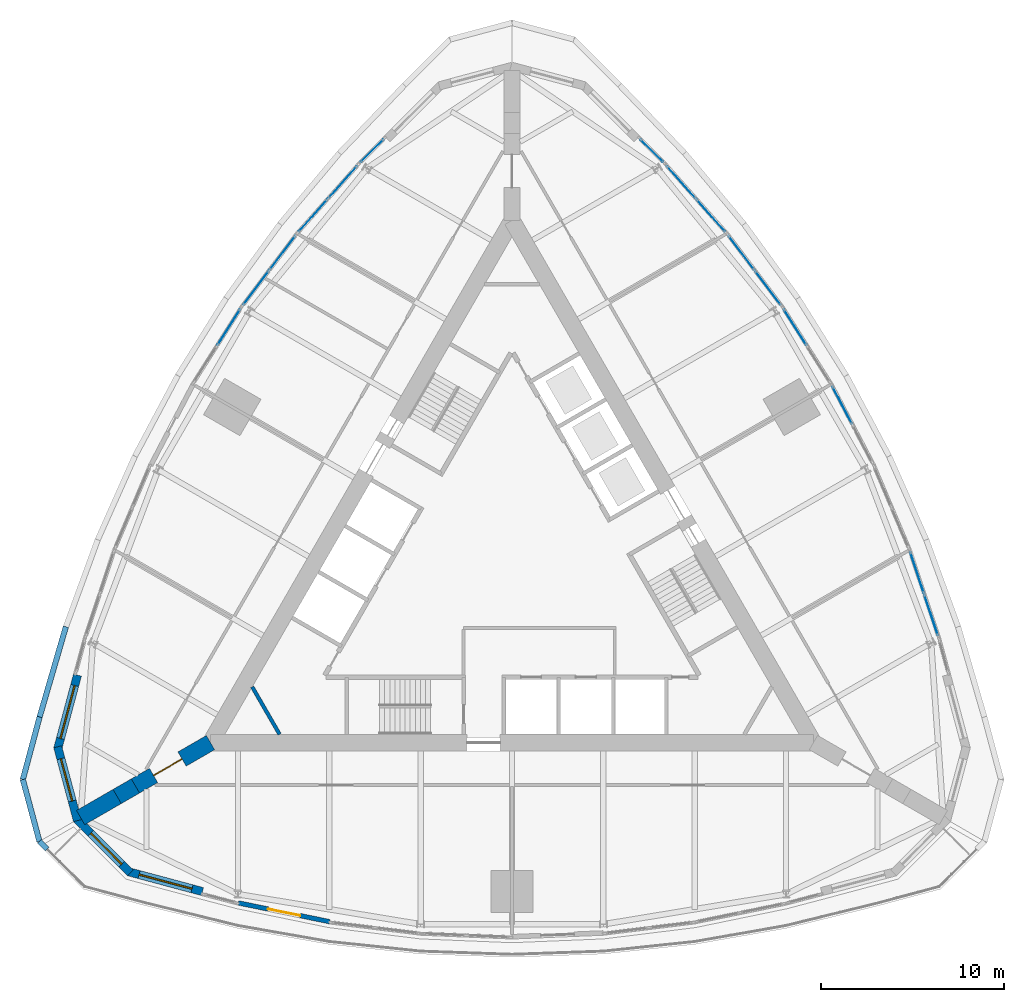
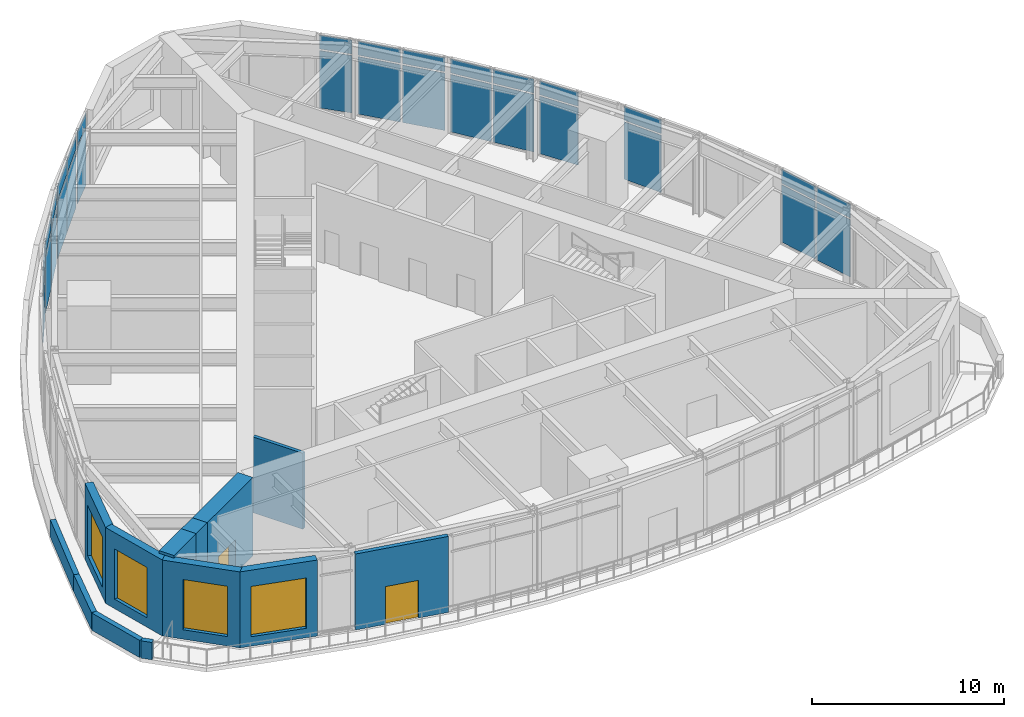
# One storey, part 7 of 13: 30 plates, 13 walls, 4 windows, 2 doors, 6 openings, 10 elements without a shape of their own.
"""IFC4 building model written with IfcOpenShell, lengths in metres."""

from ifc_helpers import new_model, si_unit, direction, frame, frame_2d, origin, origin_2d, place, context, subcontext, project, spatial, polyline, rectangle, outline, extrude, material, layer, layer_set, type_object, element, fill, aggregate, save


model = new_model("IFC4")

# Units and contexts
model_context = context("Model", 3, precision=1e-05, world=origin(), true_north=direction((0.0, 1.0)))
body_context = subcontext(model_context, "Body", "Model", "MODEL_VIEW")
ifc_project = project(units=[si_unit("LENGTHUNIT", "METRE"), si_unit("AREAUNIT", "SQUARE_METRE"), si_unit("VOLUMEUNIT", "CUBIC_METRE"), si_unit("PLANEANGLEUNIT", "RADIAN"), si_unit("MASSUNIT", "GRAM", prefix="KILO")], contexts=[model_context])

# Site, building, storey
site_placement = place(None, origin())
site = spatial("IfcSite", under=ifc_project, at=site_placement, CompositionType="ELEMENT")
building_placement = place(site_placement, origin())
building = spatial("IfcBuilding", under=site, at=building_placement, Name="Trikona Tower", CompositionType="ELEMENT")
storey_placement = place(building_placement, frame((0.0, 0.0, 195.89990234375)))
storey = spatial("IfcBuildingStorey", under=building, at=storey_placement, Name="L52", CompositionType="ELEMENT", Elevation=195.89990234375)

# Curtain wall, plates
ifc_material_1 = material(Name="Aluminium curtain wall system", Category="aluminium")
curtain_wall_type = type_object("IfcCurtainWallType", Name="Curtain wall SL", PredefinedType="NOTDEFINED", material=ifc_material_1)
curtain_wall_1_placement = place(storey_placement, origin())
curtain_wall_1 = element("IfcCurtainWall", 1, at=curtain_wall_1_placement, inside=storey, type_object=curtain_wall_type, Name="Curtain wall SL L52", PredefinedType="NOTDEFINED")
ifc_material_2 = material(Name="Clear insulating glass unit", Category="glass")
ifc_layer_1 = layer(ifc_material_2, 0.028076171875)
ifc_layer_set_1 = layer_set([ifc_layer_1], Name="Glass panel SL")
plate_type = type_object("IfcPlateType", Name="Glass panel SL", PredefinedType="CURTAIN_PANEL", material=ifc_layer_set_1)
plate_1_placement = place(storey_placement, frame((22.942138671875, -2.546142578125, 0.10009765625), z_axis=(0.0, 0.0, 1.0), x_axis=(-0.31509610797, 0.94905976774, 0.0)))
plate_1 = element("IfcPlate", 2, at=plate_1_placement, type_object=plate_type, Name="CW-SL panel 1.1", PredefinedType="CURTAIN_PANEL", context=body_context, shape_type="SweptSolid", body=[
    extrude(rectangle(XDim=2.342529296875, YDim=0.028076171875, at=origin_2d()), origin(), (0.0, 0.0, 1.0), 3.64990234375),
])
plate_2_placement = place(storey_placement, frame((22.942138671875, -2.546142578125, 3.85009765625), z_axis=(0.0, 0.0, 1.0), x_axis=(-0.31509610797, 0.94905976774, 0.0)))
plate_2 = element("IfcPlate", 3, at=plate_2_placement, type_object=plate_type, Name="CW-SL panel 1.2", PredefinedType="CURTAIN_PANEL", context=body_context, shape_type="SweptSolid", body=[
    extrude(rectangle(XDim=2.342529296875, YDim=0.028076171875, at=origin_2d()), origin(), (0.0, 0.0, 1.0), 0.885009765625),
])
plate_3_placement = place(storey_placement, frame((22.17236328125, -0.22802734375, 0.10009765625), z_axis=(0.0, 0.0, 1.0), x_axis=(-0.31509610797, 0.94905976774, 0.0)))
plate_3 = element("IfcPlate", 4, at=plate_3_placement, type_object=plate_type, Name="CW-SL panel 2.1", PredefinedType="CURTAIN_PANEL", context=body_context, shape_type="SweptSolid", body=[
    extrude(rectangle(XDim=2.342529296875, YDim=0.028076171875, at=origin_2d()), origin(), (0.0, 0.0, 1.0), 3.64990234375),
])
plate_4_placement = place(storey_placement, frame((22.17236328125, -0.22802734375, 3.85009765625), z_axis=(0.0, 0.0, 1.0), x_axis=(-0.31509610797, 0.94905976774, 0.0)))
plate_4 = element("IfcPlate", 5, at=plate_4_placement, type_object=plate_type, Name="CW-SL panel 2.2", PredefinedType="CURTAIN_PANEL", context=body_context, shape_type="SweptSolid", body=[
    extrude(rectangle(XDim=2.342529296875, YDim=0.028076171875, at=origin_2d()), origin(), (0.0, 0.0, 1.0), 0.885009765625),
])
aggregate(curtain_wall_1, [plate_1, plate_2, plate_3, plate_4])

curtain_wall_2_placement = place(storey_placement, origin())
curtain_wall_2 = element("IfcCurtainWall", 6, at=curtain_wall_2_placement, inside=storey, type_object=curtain_wall_type, Name="Curtain wall SL L52", PredefinedType="NOTDEFINED")
plate_5_placement = place(storey_placement, frame((18.07861328125, 8.935546875, 0.10009765625), z_axis=(0.0, 0.0, 1.0), x_axis=(-0.463948084434, 0.885862390527, 0.0)))
plate_5 = element("IfcPlate", 7, at=plate_5_placement, type_object=plate_type, Name="CW-SL panel 2.1", PredefinedType="CURTAIN_PANEL", context=body_context, shape_type="SweptSolid", body=[
    extrude(rectangle(XDim=2.2919921875, YDim=0.028076171875, at=origin_2d()), origin(), (0.0, 0.0, 1.0), 3.64990234375),
])
plate_6_placement = place(storey_placement, frame((18.07861328125, 8.935546875, 3.85009765625), z_axis=(0.0, 0.0, 1.0), x_axis=(-0.463948084434, 0.885862390527, 0.0)))
plate_6 = element("IfcPlate", 8, at=plate_6_placement, type_object=plate_type, Name="CW-SL panel 2.2", PredefinedType="CURTAIN_PANEL", context=body_context, shape_type="SweptSolid", body=[
    extrude(rectangle(XDim=2.2919921875, YDim=0.028076171875, at=origin_2d()), origin(), (0.0, 0.0, 1.0), 0.885009765625),
])
aggregate(curtain_wall_2, [plate_5, plate_6])

curtain_wall_3_placement = place(storey_placement, origin())
curtain_wall_3 = element("IfcCurtainWall", 9, at=curtain_wall_3_placement, inside=storey, type_object=curtain_wall_type, Name="Curtain wall SL L52", PredefinedType="NOTDEFINED")
plate_7_placement = place(storey_placement, frame((15.497314453125, 13.209228515625, 0.10009765625), z_axis=(0.0, 0.0, 1.0), x_axis=(-0.535211837308, 0.84471787551, 0.0)))
plate_7 = element("IfcPlate", 10, at=plate_7_placement, type_object=plate_type, Name="CW-SL panel 2.1", PredefinedType="CURTAIN_PANEL", context=body_context, shape_type="SweptSolid", body=[
    extrude(rectangle(XDim=2.292236328125, YDim=0.028076171875, at=origin_2d()), origin(), (0.0, 0.0, 1.0), 3.64990234375),
])
plate_8_placement = place(storey_placement, frame((15.497314453125, 13.209228515625, 3.85009765625), z_axis=(0.0, 0.0, 1.0), x_axis=(-0.535211837308, 0.84471787551, 0.0)))
plate_8 = element("IfcPlate", 11, at=plate_8_placement, type_object=plate_type, Name="CW-SL panel 2.2", PredefinedType="CURTAIN_PANEL", context=body_context, shape_type="SweptSolid", body=[
    extrude(rectangle(XDim=2.292236328125, YDim=0.028076171875, at=origin_2d()), origin(), (0.0, 0.0, 1.0), 0.885009765625),
])
aggregate(curtain_wall_3, [plate_7, plate_8])

curtain_wall_4_placement = place(storey_placement, origin())
curtain_wall_4 = element("IfcCurtainWall", 12, at=curtain_wall_4_placement, inside=storey, type_object=curtain_wall_type, Name="Curtain wall SL L52", PredefinedType="NOTDEFINED")
plate_9_placement = place(storey_placement, frame((14.010986328125, 15.355224609375, 0.10009765625), z_axis=(0.0, 0.0, 1.0), x_axis=(-0.602401528506, 0.798193208724, 0.0)))
plate_9 = element("IfcPlate", 13, at=plate_9_placement, type_object=plate_type, Name="CW-SL panel 1.1", PredefinedType="CURTAIN_PANEL", context=body_context, shape_type="SweptSolid", body=[
    extrude(rectangle(XDim=2.30908203125, YDim=0.028076171875, at=origin_2d()), origin(), (0.0, 0.0, 1.0), 3.64990234375),
])
plate_10_placement = place(storey_placement, frame((14.010986328125, 15.355224609375, 3.85009765625), z_axis=(0.0, 0.0, 1.0), x_axis=(-0.602401528506, 0.798193208724, 0.0)))
plate_10 = element("IfcPlate", 14, at=plate_10_placement, type_object=plate_type, Name="CW-SL panel 1.2", PredefinedType="CURTAIN_PANEL", context=body_context, shape_type="SweptSolid", body=[
    extrude(rectangle(XDim=2.30908203125, YDim=0.028076171875, at=origin_2d()), origin(), (0.0, 0.0, 1.0), 0.885009765625),
])
plate_11_placement = place(storey_placement, frame((12.559814453125, 17.278076171875, 0.10009765625), z_axis=(0.0, 0.0, 1.0), x_axis=(-0.602401528506, 0.798193208724, 0.0)))
plate_11 = element("IfcPlate", 15, at=plate_11_placement, type_object=plate_type, Name="CW-SL panel 2.1", PredefinedType="CURTAIN_PANEL", context=body_context, shape_type="SweptSolid", body=[
    extrude(rectangle(XDim=2.30908203125, YDim=0.028076171875, at=origin_2d()), origin(), (0.0, 0.0, 1.0), 3.64990234375),
])
plate_12_placement = place(storey_placement, frame((12.559814453125, 17.278076171875, 3.85009765625), z_axis=(0.0, 0.0, 1.0), x_axis=(-0.602401528506, 0.798193208724, 0.0)))
plate_12 = element("IfcPlate", 16, at=plate_12_placement, type_object=plate_type, Name="CW-SL panel 2.2", PredefinedType="CURTAIN_PANEL", context=body_context, shape_type="SweptSolid", body=[
    extrude(rectangle(XDim=2.30908203125, YDim=0.028076171875, at=origin_2d()), origin(), (0.0, 0.0, 1.0), 0.885009765625),
])
aggregate(curtain_wall_4, [plate_9, plate_10, plate_11, plate_12])

curtain_wall_5_placement = place(storey_placement, origin())
curtain_wall_5 = element("IfcCurtainWall", 17, at=curtain_wall_5_placement, inside=storey, type_object=curtain_wall_type, Name="Curtain wall SL L52", PredefinedType="NOTDEFINED")
plate_13_placement = place(storey_placement, frame((10.888671875, 19.31591796875, 0.10009765625), z_axis=(0.0, 0.0, 1.0), x_axis=(-0.664371309689, 0.747402677853, 0.0)))
plate_13 = element("IfcPlate", 18, at=plate_13_placement, type_object=plate_type, Name="CW-SL panel 1.1", PredefinedType="CURTAIN_PANEL", context=body_context, shape_type="SweptSolid", body=[
    extrude(rectangle(XDim=2.342529296875, YDim=0.028076171875, at=origin_2d()), origin(), (0.0, 0.0, 1.0), 3.64990234375),
])
plate_14_placement = place(storey_placement, frame((10.888671875, 19.31591796875, 3.85009765625), z_axis=(0.0, 0.0, 1.0), x_axis=(-0.664371309689, 0.747402677853, 0.0)))
plate_14 = element("IfcPlate", 19, at=plate_14_placement, type_object=plate_type, Name="CW-SL panel 1.2", PredefinedType="CURTAIN_PANEL", context=body_context, shape_type="SweptSolid", body=[
    extrude(rectangle(XDim=2.342529296875, YDim=0.028076171875, at=origin_2d()), origin(), (0.0, 0.0, 1.0), 0.885009765625),
])
plate_15_placement = place(storey_placement, frame((9.26611328125, 21.141357421875, 0.10009765625), z_axis=(0.0, 0.0, 1.0), x_axis=(-0.664371309689, 0.747402677853, 0.0)))
plate_15 = element("IfcPlate", 20, at=plate_15_placement, type_object=plate_type, Name="CW-SL panel 2.1", PredefinedType="CURTAIN_PANEL", context=body_context, shape_type="SweptSolid", body=[
    extrude(rectangle(XDim=2.342529296875, YDim=0.028076171875, at=origin_2d()), origin(), (0.0, 0.0, 1.0), 3.64990234375),
])
plate_16_placement = place(storey_placement, frame((9.26611328125, 21.141357421875, 3.85009765625), z_axis=(0.0, 0.0, 1.0), x_axis=(-0.664371309689, 0.747402677853, 0.0)))
plate_16 = element("IfcPlate", 21, at=plate_16_placement, type_object=plate_type, Name="CW-SL panel 2.2", PredefinedType="CURTAIN_PANEL", context=body_context, shape_type="SweptSolid", body=[
    extrude(rectangle(XDim=2.342529296875, YDim=0.028076171875, at=origin_2d()), origin(), (0.0, 0.0, 1.0), 0.885009765625),
])
aggregate(curtain_wall_5, [plate_13, plate_14, plate_15, plate_16])

curtain_wall_6_placement = place(storey_placement, origin())
curtain_wall_6 = element("IfcCurtainWall", 22, at=curtain_wall_6_placement, inside=storey, type_object=curtain_wall_type, Name="Curtain wall SL L52", PredefinedType="NOTDEFINED")
plate_17_placement = place(storey_placement, frame((7.6572265625, 22.86669921875, 0.10009765625), z_axis=(0.0, 0.0, 1.0), x_axis=(-0.704149343903, 0.710051900554, 0.0)))
plate_17 = element("IfcPlate", 23, at=plate_17_placement, type_object=plate_type, Name="CW-SL panel 1.1", PredefinedType="CURTAIN_PANEL", context=body_context, shape_type="SweptSolid", body=[
    extrude(rectangle(XDim=1.748291015625, YDim=0.028076171875, at=origin_2d()), origin(), (0.0, 0.0, 1.0), 3.64990234375),
])
plate_18_placement = place(storey_placement, frame((7.6572265625, 22.86669921875, 3.85009765625), z_axis=(0.0, 0.0, 1.0), x_axis=(-0.704149343903, 0.710051900554, 0.0)))
plate_18 = element("IfcPlate", 24, at=plate_18_placement, type_object=plate_type, Name="CW-SL panel 1.2", PredefinedType="CURTAIN_PANEL", context=body_context, shape_type="SweptSolid", body=[
    extrude(rectangle(XDim=1.748291015625, YDim=0.028076171875, at=origin_2d()), origin(), (0.0, 0.0, 1.0), 0.885009765625),
])
aggregate(curtain_wall_6, [plate_17, plate_18])

curtain_wall_7_placement = place(storey_placement, origin())
curtain_wall_7 = element("IfcCurtainWall", 25, at=curtain_wall_7_placement, inside=storey, type_object=curtain_wall_type, Name="Curtain wall SL L52", PredefinedType="NOTDEFINED")
plate_19_placement = place(storey_placement, frame((-7.6572265625, 22.86669921875, 0.10009765625), z_axis=(0.0, 0.0, 1.0), x_axis=(-0.704149343903, -0.710051900554, 0.0)))
plate_19 = element("IfcPlate", 26, at=plate_19_placement, type_object=plate_type, Name="CW-SL panel 1.1", PredefinedType="CURTAIN_PANEL", context=body_context, shape_type="SweptSolid", body=[
    extrude(rectangle(XDim=1.748291015625, YDim=0.028076171875, at=origin_2d()), origin(), (0.0, 0.0, 1.0), 3.64990234375),
])
plate_20_placement = place(storey_placement, frame((-7.6572265625, 22.86669921875, 3.85009765625), z_axis=(0.0, 0.0, 1.0), x_axis=(-0.704149343903, -0.710051900554, 0.0)))
plate_20 = element("IfcPlate", 27, at=plate_20_placement, type_object=plate_type, Name="CW-SL panel 1.2", PredefinedType="CURTAIN_PANEL", context=body_context, shape_type="SweptSolid", body=[
    extrude(rectangle(XDim=1.748291015625, YDim=0.028076171875, at=origin_2d()), origin(), (0.0, 0.0, 1.0), 0.885009765625),
])
aggregate(curtain_wall_7, [plate_19, plate_20])

curtain_wall_8_placement = place(storey_placement, origin())
curtain_wall_8 = element("IfcCurtainWall", 28, at=curtain_wall_8_placement, inside=storey, type_object=curtain_wall_type, Name="Curtain wall SL L52", PredefinedType="NOTDEFINED")
plate_21_placement = place(storey_placement, frame((-9.26611328125, 21.141357421875, 0.10009765625), z_axis=(0.0, 0.0, 1.0), x_axis=(-0.664371309689, -0.747402677853, 0.0)))
plate_21 = element("IfcPlate", 29, at=plate_21_placement, type_object=plate_type, Name="CW-SL panel 1.1", PredefinedType="CURTAIN_PANEL", context=body_context, shape_type="SweptSolid", body=[
    extrude(rectangle(XDim=2.342529296875, YDim=0.028076171875, at=origin_2d()), origin(), (0.0, 0.0, 1.0), 3.64990234375),
])
plate_22_placement = place(storey_placement, frame((-9.26611328125, 21.141357421875, 3.85009765625), z_axis=(0.0, 0.0, 1.0), x_axis=(-0.664371309689, -0.747402677853, 0.0)))
plate_22 = element("IfcPlate", 30, at=plate_22_placement, type_object=plate_type, Name="CW-SL panel 1.2", PredefinedType="CURTAIN_PANEL", context=body_context, shape_type="SweptSolid", body=[
    extrude(rectangle(XDim=2.342529296875, YDim=0.028076171875, at=origin_2d()), origin(), (0.0, 0.0, 1.0), 0.885009765625),
])
plate_23_placement = place(storey_placement, frame((-10.888671875, 19.31591796875, 0.10009765625), z_axis=(0.0, 0.0, 1.0), x_axis=(-0.664371309689, -0.747402677853, 0.0)))
plate_23 = element("IfcPlate", 31, at=plate_23_placement, type_object=plate_type, Name="CW-SL panel 2.1", PredefinedType="CURTAIN_PANEL", context=body_context, shape_type="SweptSolid", body=[
    extrude(rectangle(XDim=2.342529296875, YDim=0.028076171875, at=origin_2d()), origin(), (0.0, 0.0, 1.0), 3.64990234375),
])
plate_24_placement = place(storey_placement, frame((-10.888671875, 19.31591796875, 3.85009765625), z_axis=(0.0, 0.0, 1.0), x_axis=(-0.664371309689, -0.747402677853, 0.0)))
plate_24 = element("IfcPlate", 32, at=plate_24_placement, type_object=plate_type, Name="CW-SL panel 2.2", PredefinedType="CURTAIN_PANEL", context=body_context, shape_type="SweptSolid", body=[
    extrude(rectangle(XDim=2.342529296875, YDim=0.028076171875, at=origin_2d()), origin(), (0.0, 0.0, 1.0), 0.885009765625),
])
aggregate(curtain_wall_8, [plate_21, plate_22, plate_23, plate_24])

curtain_wall_9_placement = place(storey_placement, origin())
curtain_wall_9 = element("IfcCurtainWall", 33, at=curtain_wall_9_placement, inside=storey, type_object=curtain_wall_type, Name="Curtain wall SL L52", PredefinedType="NOTDEFINED")
plate_25_placement = place(storey_placement, frame((-12.559814453125, 17.278076171875, 0.10009765625), z_axis=(0.0, 0.0, 1.0), x_axis=(-0.602401528506, -0.798193208724, 0.0)))
plate_25 = element("IfcPlate", 34, at=plate_25_placement, type_object=plate_type, Name="CW-SL panel 1.1", PredefinedType="CURTAIN_PANEL", context=body_context, shape_type="SweptSolid", body=[
    extrude(rectangle(XDim=2.30908203125, YDim=0.028076171875, at=origin_2d()), origin(), (0.0, 0.0, 1.0), 3.64990234375),
])
plate_26_placement = place(storey_placement, frame((-12.559814453125, 17.278076171875, 3.85009765625), z_axis=(0.0, 0.0, 1.0), x_axis=(-0.602401528506, -0.798193208724, 0.0)))
plate_26 = element("IfcPlate", 35, at=plate_26_placement, type_object=plate_type, Name="CW-SL panel 1.2", PredefinedType="CURTAIN_PANEL", context=body_context, shape_type="SweptSolid", body=[
    extrude(rectangle(XDim=2.30908203125, YDim=0.028076171875, at=origin_2d()), origin(), (0.0, 0.0, 1.0), 0.885009765625),
])
plate_27_placement = place(storey_placement, frame((-14.010986328125, 15.355224609375, 0.10009765625), z_axis=(0.0, 0.0, 1.0), x_axis=(-0.602401528506, -0.798193208724, 0.0)))
plate_27 = element("IfcPlate", 36, at=plate_27_placement, type_object=plate_type, Name="CW-SL panel 2.1", PredefinedType="CURTAIN_PANEL", context=body_context, shape_type="SweptSolid", body=[
    extrude(rectangle(XDim=2.30908203125, YDim=0.028076171875, at=origin_2d()), origin(), (0.0, 0.0, 1.0), 3.64990234375),
])
plate_28_placement = place(storey_placement, frame((-14.010986328125, 15.355224609375, 3.85009765625), z_axis=(0.0, 0.0, 1.0), x_axis=(-0.602401528506, -0.798193208724, 0.0)))
plate_28 = element("IfcPlate", 37, at=plate_28_placement, type_object=plate_type, Name="CW-SL panel 2.2", PredefinedType="CURTAIN_PANEL", context=body_context, shape_type="SweptSolid", body=[
    extrude(rectangle(XDim=2.30908203125, YDim=0.028076171875, at=origin_2d()), origin(), (0.0, 0.0, 1.0), 0.885009765625),
])
aggregate(curtain_wall_9, [plate_25, plate_26, plate_27, plate_28])

curtain_wall_10_placement = place(storey_placement, origin())
curtain_wall_10 = element("IfcCurtainWall", 38, at=curtain_wall_10_placement, inside=storey, type_object=curtain_wall_type, Name="Curtain wall SL L52", PredefinedType="NOTDEFINED")
plate_29_placement = place(storey_placement, frame((-15.497314453125, 13.209228515625, 0.10009765625), z_axis=(0.0, 0.0, 1.0), x_axis=(-0.535211837308, -0.84471787551, 0.0)))
plate_29 = element("IfcPlate", 39, at=plate_29_placement, type_object=plate_type, Name="CW-SL panel 1.1", PredefinedType="CURTAIN_PANEL", context=body_context, shape_type="SweptSolid", body=[
    extrude(rectangle(XDim=2.292236328125, YDim=0.028076171875, at=origin_2d()), origin(), (0.0, 0.0, 1.0), 3.64990234375),
])
plate_30_placement = place(storey_placement, frame((-15.497314453125, 13.209228515625, 3.85009765625), z_axis=(0.0, 0.0, 1.0), x_axis=(-0.535211837308, -0.84471787551, 0.0)))
plate_30 = element("IfcPlate", 40, at=plate_30_placement, type_object=plate_type, Name="CW-SL panel 1.2", PredefinedType="CURTAIN_PANEL", context=body_context, shape_type="SweptSolid", body=[
    extrude(rectangle(XDim=2.292236328125, YDim=0.028076171875, at=origin_2d()), origin(), (0.0, 0.0, 1.0), 0.885009765625),
])
aggregate(curtain_wall_10, [plate_29, plate_30])

# Wall, opening, window
ifc_material_3 = material(Name="Brick-faced precast concrete", Category="masonry")
ifc_layer_2 = layer(ifc_material_3, 0.449951171875)
ifc_layer_set_2 = layer_set([ifc_layer_2], Name="Brick-faced corner wall 450")
wall_type_1 = type_object("IfcWallType", Name="Brick-faced corner wall 450", PredefinedType="SOLIDWALL", material=ifc_layer_set_2)
wall_1_placement = place(storey_placement, frame((-23.78271484375, -5.831787109375, 0.0), z_axis=(0.0, 0.0, 1.0), x_axis=(-0.258784695888, -0.965935029479, 0.0)))
wall_1 = element("IfcWall", 41, at=wall_1_placement, inside=storey, type_object=wall_type_1, Name="External wall L52-32", PredefinedType="SOLIDWALL", context=body_context, shape_type="SweptSolid", body=[
    extrude(rectangle(XDim=4.18408203125, YDim=0.449951171875, at=frame_2d((2.092041015625, 0.0))), origin(), (0.0, 0.0, 1.0), 4.835205078125),
])
opening_1_placement = place(wall_1_placement, frame((0.592041015625, 0.0, 0.60009765625)))
opening_1 = element("IfcOpeningElement", 42, at=opening_1_placement, cuts=wall_1, Name="Opening W3032", PredefinedType="OPENING", context=body_context, shape_type="SweptSolid", body=[
    extrude(rectangle(XDim=3.0, YDim=3.199951171875, at=frame_2d((1.5, 1.60009765625))), frame((0.0, 0.23486328125, 0.0), z_axis=(0.0, -1.0, 0.0), x_axis=(1.0, 0.0, 0.0)), (0.0, 0.0, 1.0), 0.469970703125),
])
ifc_material_4 = material(Name="Aluminium-framed double glazing", Category="aluminium")
window_type_1 = type_object("IfcWindowType", Name="Window 3000x3200", PartitioningType="SINGLE_PANEL", PredefinedType="WINDOW", material=ifc_material_4)
window_1_placement = place(opening_1_placement, origin())
window_1 = element("IfcWindow", 43, at=window_1_placement, inside=storey, type_object=window_type_1, Name="Window L52-TR4", OverallHeight=3.199951171875, OverallWidth=3.0, PartitioningType="SINGLE_PANEL", PredefinedType="WINDOW", context=body_context, shape_type="SweptSolid", body=[
    extrude(rectangle(XDim=3.0, YDim=3.199951171875, at=frame_2d((1.5, 1.60009765625))), frame((0.0, 0.030029296875, 0.0), z_axis=(0.0, -1.0, 0.0), x_axis=(1.0, 0.0, 0.0)), (0.0, 0.0, 1.0), 0.06005859375),
])
fill(opening_1, window_1)

wall_2_placement = place(storey_placement, frame((-24.865478515625, -9.7568359375, 0.0), z_axis=(0.0, 0.0, 1.0), x_axis=(0.258799282522, -0.96593112144, 0.0)))
wall_2 = element("IfcWall", 44, at=wall_2_placement, inside=storey, type_object=wall_type_1, Name="External wall L52-33", PredefinedType="SOLIDWALL", context=body_context, shape_type="SweptSolid", body=[
    extrude(outline(polyline([(4.183837890625, 0.22509765625), (4.12451171875, 0.22509765625), (3.6328125, 0.09326171875), (3.597412109375, 0.22509765625), (0.0, 0.22509765625), (0.0, -0.22509765625), (4.183837890625, -0.22509765625), (4.183837890625, 0.22509765625)])), origin(), (0.0, 0.0, 1.0), 4.835205078125),
])
opening_2_placement = place(wall_2_placement, frame((0.673828125, 0.0, 0.60009765625)))
opening_2 = element("IfcOpeningElement", 45, at=opening_2_placement, cuts=wall_2, Name="Opening W2432", PredefinedType="OPENING", context=body_context, shape_type="SweptSolid", body=[
    extrude(rectangle(XDim=2.39990234375, YDim=3.199951171875, at=frame_2d((1.199951171875, 1.60009765625))), frame((0.0, 0.23486328125, 0.0), z_axis=(0.0, -1.0, 0.0), x_axis=(1.0, 0.0, 0.0)), (0.0, 0.0, 1.0), 0.469970703125),
])
ifc_material_5 = material(Name="Aluminium-framed double glazing", Category="aluminium")
window_type_2 = type_object("IfcWindowType", Name="Window 2400x3200", PartitioningType="SINGLE_PANEL", PredefinedType="WINDOW", material=ifc_material_5)
window_2_placement = place(opening_2_placement, origin())
window_2 = element("IfcWindow", 46, at=window_2_placement, inside=storey, type_object=window_type_2, Name="Window L52-TR4", OverallHeight=3.199951171875, OverallWidth=2.39990234375, PartitioningType="SINGLE_PANEL", PredefinedType="WINDOW", context=body_context, shape_type="SweptSolid", body=[
    extrude(rectangle(XDim=2.39990234375, YDim=3.199951171875, at=frame_2d((1.199951171875, 1.60009765625))), frame((0.0, 0.030029296875, 0.0), z_axis=(0.0, -1.0, 0.0), x_axis=(1.0, 0.0, 0.0)), (0.0, 0.0, 1.0), 0.06005859375),
])
fill(opening_2, window_2)

wall_3_placement = place(storey_placement, frame((-23.8408203125, -13.697265625, 0.0), z_axis=(0.0, 0.0, 1.0), x_axis=(0.707077605902, -0.707135955267, 0.0)))
wall_3 = element("IfcWall", 47, at=wall_3_placement, inside=storey, type_object=wall_type_1, Name="External wall L52-34", PredefinedType="SOLIDWALL", context=body_context, shape_type="SweptSolid", body=[
    extrude(outline(polyline([(4.18408203125, 0.22509765625), (0.58642578125, 0.22509765625), (0.551025390625, 0.093017578125), (0.058837890625, 0.22509765625), (0.0, 0.22509765625), (0.0, -0.22509765625), (4.18408203125, -0.22509765625), (4.18408203125, 0.22509765625)])), origin(), (0.0, 0.0, 1.0), 4.835205078125),
])
opening_3_placement = place(wall_3_placement, frame((1.110107421875, 0.0, 0.60009765625)))
opening_3 = element("IfcOpeningElement", 48, at=opening_3_placement, cuts=wall_3, Name="Opening W2432", PredefinedType="OPENING", context=body_context, shape_type="SweptSolid", body=[
    extrude(rectangle(XDim=2.39990234375, YDim=3.199951171875, at=frame_2d((1.199951171875, 1.60009765625))), frame((0.0, 0.23486328125, 0.0), z_axis=(0.0, -1.0, 0.0), x_axis=(1.0, 0.0, 0.0)), (0.0, 0.0, 1.0), 0.469970703125),
])
window_3_placement = place(opening_3_placement, origin())
window_3 = element("IfcWindow", 49, at=window_3_placement, inside=storey, type_object=window_type_2, Name="Window L52-SPR", OverallHeight=3.199951171875, OverallWidth=2.39990234375, PartitioningType="SINGLE_PANEL", PredefinedType="WINDOW", context=body_context, shape_type="SweptSolid", body=[
    extrude(rectangle(XDim=2.39990234375, YDim=3.199951171875, at=frame_2d((1.199951171875, 1.60009765625))), frame((0.0, 0.030029296875, 0.0), z_axis=(0.0, -1.0, 0.0), x_axis=(1.0, 0.0, 0.0)), (0.0, 0.0, 1.0), 0.06005859375),
])
fill(opening_3, window_3)

wall_4_placement = place(storey_placement, frame((-20.9833984375, -16.59765625, 0.0), z_axis=(0.0, 0.0, 1.0), x_axis=(0.965920442324, -0.258839137498, 0.0)))
wall_4 = element("IfcWall", 50, at=wall_4_placement, inside=storey, type_object=wall_type_1, Name="External wall L52-35", PredefinedType="SOLIDWALL", context=body_context, shape_type="SweptSolid", body=[
    extrude(rectangle(XDim=4.18408203125, YDim=0.449951171875, at=frame_2d((2.092041015625, 0.0))), origin(), (0.0, 0.0, 1.0), 4.835205078125),
])
opening_4_placement = place(wall_4_placement, frame((0.592041015625, 0.0, 0.60009765625)))
opening_4 = element("IfcOpeningElement", 51, at=opening_4_placement, cuts=wall_4, Name="Opening W3032", PredefinedType="OPENING", context=body_context, shape_type="SweptSolid", body=[
    extrude(rectangle(XDim=3.0, YDim=3.199951171875, at=frame_2d((1.5, 1.60009765625))), frame((0.0, 0.23486328125, 0.0), z_axis=(0.0, -1.0, 0.0), x_axis=(1.0, 0.0, 0.0)), (0.0, 0.0, 1.0), 0.469970703125),
])
window_4_placement = place(opening_4_placement, origin())
window_4 = element("IfcWindow", 52, at=window_4_placement, inside=storey, type_object=window_type_1, Name="Window L52-SPR", OverallHeight=3.199951171875, OverallWidth=3.0, PartitioningType="SINGLE_PANEL", PredefinedType="WINDOW", context=body_context, shape_type="SweptSolid", body=[
    extrude(rectangle(XDim=3.0, YDim=3.199951171875, at=frame_2d((1.5, 1.60009765625))), frame((0.0, 0.030029296875, 0.0), z_axis=(0.0, -1.0, 0.0), x_axis=(1.0, 0.0, 0.0)), (0.0, 0.0, 1.0), 0.06005859375),
])
fill(opening_4, window_4)

# Wall, opening, door
ifc_material_6 = material(Name="Concrete f'c 10000 psi", Category="concrete")
ifc_layer_3 = layer(ifc_material_6, 0.89990234375)
ifc_layer_set_3 = layer_set([ifc_layer_3], Name="Buttress wall 900")
wall_type_2 = type_object("IfcWallType", Name="Buttress wall 900", PredefinedType="SHEAR", material=ifc_layer_set_3)
wall_5_placement = place(storey_placement, frame((-16.5, -9.5263671875, 0.0), z_axis=(0.0, 0.0, 1.0), x_axis=(-0.866031398331, -0.499989616998, 0.0)))
wall_5 = element("IfcWall", 53, at=wall_5_placement, inside=storey, type_object=wall_type_2, Name="Buttress wall 3", PredefinedType="SHEAR", context=body_context, shape_type="SweptSolid", body=[
    extrude(rectangle(XDim=4.74609375, YDim=0.89990234375, at=frame_2d((2.373046875, 0.0))), origin(), (0.0, 0.0, 1.0), 5.0),
])
opening_5_placement = place(wall_5_placement, frame((1.800048828125, 0.0, 0.0)))
opening_5 = element("IfcOpeningElement", 54, at=opening_5_placement, cuts=wall_5, Name="Opening D10", PredefinedType="OPENING", context=body_context, shape_type="SweptSolid", body=[
    extrude(rectangle(XDim=1.800048828125, YDim=2.1298828125, at=frame_2d((0.89990234375, 1.06494140625))), frame((0.0, 0.4599609375, 0.0), z_axis=(0.0, -1.0, 0.0), x_axis=(1.0, 0.0, 0.0)), (0.0, 0.0, 1.0), 0.919921875),
])
ifc_material_7 = material(Name="Hollow metal door and frame", Category="steel")
door_type_1 = type_object("IfcDoorType", Name="Cross-corridor door pair 1800x2130", OperationType="DOUBLE_DOOR_DOUBLE_SWING", PredefinedType="DOOR", material=ifc_material_7)
door_1_placement = place(opening_5_placement, origin())
door_1 = element("IfcDoor", 55, at=door_1_placement, inside=storey, type_object=door_type_1, Name="Cross-corridor door 3", OperationType="DOUBLE_DOOR_DOUBLE_SWING", OverallHeight=2.1298828125, OverallWidth=1.800048828125, PredefinedType="DOOR", context=body_context, shape_type="SweptSolid", body=[
    extrude(rectangle(XDim=1.800048828125, YDim=2.1298828125, at=frame_2d((0.89990234375, 1.06494140625))), frame((0.0, 0.02490234375, 0.0), z_axis=(0.0, -1.0, 0.0), x_axis=(1.0, 0.0, 0.0)), (0.0, 0.0, 1.0), 0.050048828125),
])
fill(opening_5, door_1)

# Walls
wall_6_placement = place(storey_placement, frame((-20.6103515625, -11.8994140625, 0.0), z_axis=(0.0, 0.0, 1.0), x_axis=(-0.866009537788, -0.500027479704, 0.0)))
element("IfcWall", 56, at=wall_6_placement, inside=storey, type_object=wall_type_2, Name="Buttress wall 3 part 2", PredefinedType="SHEAR", context=body_context, shape_type="SweptSolid", body=[
    extrude(rectangle(XDim=1.15478515625, YDim=0.89990234375, at=frame_2d((0.577392578125, 0.0))), origin(), (0.0, 0.0, 1.0), 5.0),
])
wall_7_placement = place(storey_placement, frame((-21.6103515625, -12.476806640625, 0.0), z_axis=(0.0, 0.0, 1.0), x_axis=(-0.866055313784, -0.499948190782, 0.0)))
element("IfcWall", 57, at=wall_7_placement, inside=storey, type_object=wall_type_2, Name="Buttress wall 3 part 3", PredefinedType="SHEAR", context=body_context, shape_type="SweptSolid", body=[
    extrude(rectangle(XDim=2.309326171875, YDim=0.89990234375, at=frame_2d((1.15478515625, 0.0))), origin(), (0.0, 0.0, 1.0), 5.0),
])

# Wall, opening, door
ifc_material_8 = material(Name="Insulated precast concrete spandrel panel", Category="concrete")
ifc_layer_4 = layer(ifc_material_8, 0.25)
ifc_layer_set_4 = layer_set([ifc_layer_4], Name="Inner skin wall 250")
wall_type_3 = type_object("IfcWallType", Name="Inner skin wall 250", PredefinedType="STANDARD", material=ifc_layer_set_4)
wall_8_placement = place(storey_placement, frame((-14.974853515625, -18.302490234375, 0.0), z_axis=(0.0, 0.0, 1.0), x_axis=(0.979461488189, -0.201631329795, 0.0)))
wall_8 = element("IfcWall", 58, at=wall_8_placement, inside=storey, type_object=wall_type_3, Name="External wall L52-01", PredefinedType="STANDARD", context=body_context, shape_type="SweptSolid", body=[
    extrude(rectangle(XDim=5.104736328125, YDim=0.25, at=frame_2d((2.55224609375, 0.0))), origin(), (0.0, 0.0, 1.0), 4.835205078125),
])
opening_6_placement = place(wall_8_placement, frame((1.65234375, 0.0, 0.0)))
opening_6 = element("IfcOpeningElement", 59, at=opening_6_placement, cuts=wall_8, Name="Opening D8", PredefinedType="OPENING", context=body_context, shape_type="SweptSolid", body=[
    extrude(rectangle(XDim=1.800048828125, YDim=2.39990234375, at=frame_2d((0.89990234375, 1.199951171875))), frame((0.0, 0.135009765625, 0.0), z_axis=(0.0, -1.0, 0.0), x_axis=(1.0, 0.0, 0.0)), (0.0, 0.0, 1.0), 0.27001953125),
])
ifc_material_9 = material(Name="Aluminium-framed glazed door", Category="aluminium")
door_type_2 = type_object("IfcDoorType", Name="Terrace door pair 1800x2400", OperationType="DOUBLE_DOOR_SINGLE_SWING", PredefinedType="DOOR", material=ifc_material_9)
door_2_placement = place(opening_6_placement, origin())
door_2 = element("IfcDoor", 60, at=door_2_placement, inside=storey, type_object=door_type_2, Name="Terrace door Spa reception", OperationType="DOUBLE_DOOR_SINGLE_SWING", OverallHeight=2.39990234375, OverallWidth=1.800048828125, PredefinedType="DOOR", context=body_context, shape_type="SweptSolid", body=[
    extrude(rectangle(XDim=1.800048828125, YDim=2.39990234375, at=frame_2d((0.89990234375, 1.199951171875))), frame((0.0, 0.02490234375, 0.0), z_axis=(0.0, -1.0, 0.0), x_axis=(1.0, 0.0, 0.0)), (0.0, 0.0, 1.0), 0.050048828125),
])
fill(opening_6, door_2)

# Walls
ifc_material_10 = material(Name="Brick-faced precast concrete", Category="masonry")
ifc_layer_5 = layer(ifc_material_10, 0.300048828125)
ifc_layer_set_5 = layer_set([ifc_layer_5], Name="Parapet wall 300")
wall_type_4 = type_object("IfcWallType", Name="Parapet wall 300", PredefinedType="PARAPET", material=ifc_layer_set_5)
wall_9_placement = place(storey_placement, frame((-25.44140625, -15.357666015625, 0.0), z_axis=(0.0, 0.0, 1.0), x_axis=(-0.707106781187, 0.707106781187, 0.0)))
element("IfcWall", 61, at=wall_9_placement, inside=storey, type_object=wall_type_4, Name="Green roof parapet L52-1-00", PredefinedType="PARAPET", context=body_context, shape_type="SweptSolid", body=[
    extrude(rectangle(XDim=0.599609375, YDim=0.300048828125, at=frame_2d((0.2998046875, 0.0))), origin(), (0.0, 0.0, 1.0), 1.10009765625),
])
wall_10_placement = place(storey_placement, frame((-25.865478515625, -14.93359375, 0.0), z_axis=(0.0, 0.0, 1.0), x_axis=(-0.258837025974, 0.96592100815, 0.0)))
element("IfcWall", 62, at=wall_10_placement, inside=storey, type_object=wall_type_4, Name="Green roof parapet L52-1-01", PredefinedType="PARAPET", context=body_context, shape_type="SweptSolid", body=[
    extrude(rectangle(XDim=3.505859375, YDim=0.300048828125, at=frame_2d((1.7529296875, 0.0))), origin(), (0.0, 0.0, 1.0), 1.10009765625),
])
wall_11_placement = place(storey_placement, frame((-26.77294921875, -11.547119140625, 0.0), z_axis=(0.0, 0.0, 1.0), x_axis=(0.258837072303, 0.965920995735, 0.0)))
element("IfcWall", 63, at=wall_11_placement, inside=storey, type_object=wall_type_4, Name="Green roof parapet L52-1-02", PredefinedType="PARAPET", context=body_context, shape_type="SweptSolid", body=[
    extrude(rectangle(XDim=3.544677734375, YDim=0.300048828125, at=frame_2d((1.7724609375, 0.0))), origin(), (0.0, 0.0, 1.0), 1.10009765625),
])
wall_12_placement = place(storey_placement, frame((-25.85546875, -8.123291015625, 0.0), z_axis=(0.0, 0.0, 1.0), x_axis=(0.279553216384, 0.960130199093, 0.0)))
element("IfcWall", 64, at=wall_12_placement, inside=storey, type_object=wall_type_4, Name="Green roof parapet L52-1-03", PredefinedType="PARAPET", context=body_context, shape_type="SweptSolid", body=[
    extrude(rectangle(XDim=5.141357421875, YDim=0.300048828125, at=frame_2d((2.57080078125, 0.0))), origin(), (0.0, 0.0, 1.0), 1.10009765625),
])
ifc_material_11 = material(Name="Concrete f'c 8000 psi", Category="concrete")
ifc_layer_6 = layer(ifc_material_11, 0.199951171875)
ifc_layer_set_6 = layer_set([ifc_layer_6], Name="Shaft wall 200")
wall_type_5 = type_object("IfcWallType", Name="Shaft wall 200", PredefinedType="SOLIDWALL", material=ifc_layer_set_6)
wall_13_placement = place(storey_placement, frame((-12.718505859375, -9.076416015625, 0.0), z_axis=(0.0, 0.0, 1.0), x_axis=(-0.499952404951, 0.866052881055, 0.0)))
element("IfcWall", 65, at=wall_13_placement, inside=storey, type_object=wall_type_5, Name="Riser wall L52-RS3", PredefinedType="SOLIDWALL", context=body_context, shape_type="SweptSolid", body=[
    extrude(rectangle(XDim=3.002197265625, YDim=0.199951171875, at=frame_2d((1.5009765625, 0.0))), origin(), (0.0, 0.0, 1.0), 4.835205078125),
])

save(model, "model.ifc")
